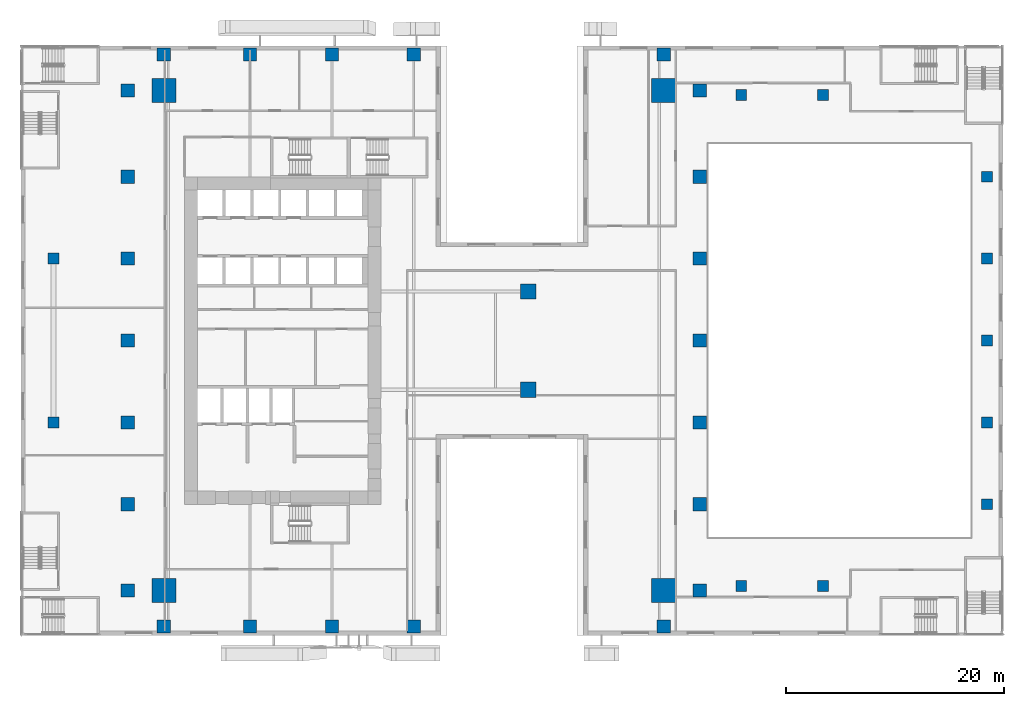
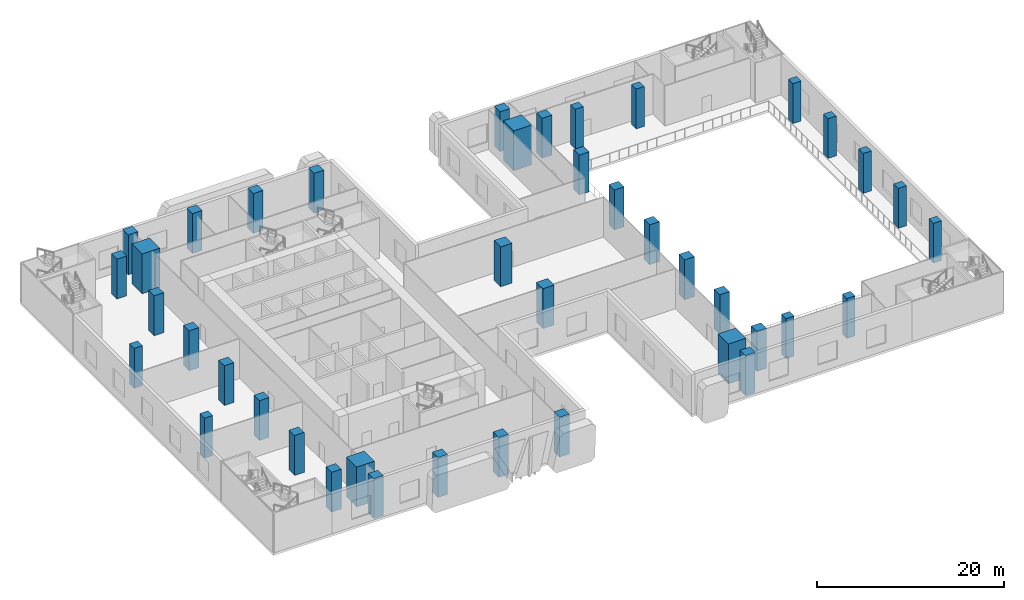
# One storey, part 1 of 23: 41 columns.
"""IFC4 building model written with IfcOpenShell, lengths in metres."""

from ifc_helpers import new_model, si_unit, direction, frame, origin, origin_2d, place, context, subcontext, project, spatial, rectangle, extrude, source, transform, mapped, material, material_profile, profile_set, type_object, element, save


model = new_model("IFC4")

# Units and contexts
model_context = context("Model", 3, precision=1e-05, world=origin(), true_north=direction((0.0, 1.0)))
body_context = subcontext(model_context, "Body", "Model", "MODEL_VIEW")
ifc_project = project(units=[si_unit("LENGTHUNIT", "METRE"), si_unit("AREAUNIT", "SQUARE_METRE"), si_unit("VOLUMEUNIT", "CUBIC_METRE"), si_unit("PLANEANGLEUNIT", "RADIAN"), si_unit("MASSUNIT", "GRAM", prefix="KILO")], contexts=[model_context])

# Site, building, storey
site_placement = place(None, origin())
site = spatial("IfcSite", under=ifc_project, at=site_placement, CompositionType="ELEMENT")
building_placement = place(site_placement, origin())
building = spatial("IfcBuilding", under=site, at=building_placement, Name="Khomas Fold Tower", CompositionType="ELEMENT")
storey_placement = place(building_placement, frame((0.0, 0.0, 7.5)))
storey = spatial("IfcBuildingStorey", under=building, at=storey_placement, Name="L01", CompositionType="ELEMENT", Elevation=7.5)

# Columns
ifc_material_1 = material(Name="Concrete C70/85", Category="concrete")
ifc_material_profile_1 = material_profile(ifc_material_1, rectangle(XDim=2.199951171875, YDim=2.199951171875, at=origin_2d()), Name="RC 2200x2200")
ifc_profile_set_1 = profile_set([ifc_material_profile_1], Name="Concrete C70/85")
column_type_1 = type_object("IfcColumnType", Name="RC 2200x2200 column", PredefinedType="COLUMN", material=ifc_profile_set_1)
shared_shape_1 = source(origin(), body_context, "Body", "SweptSolid", [
    extrude(rectangle(XDim=2.199951171875, YDim=2.199951171875, at=origin_2d()), origin(), (0.0, 0.0, 1.0), 5.199951171875),
])
for number, where, z_axis, x_axis, name in (
    (1, (49.89990234375, 49.89990234375, 0.0), (0.0, 0.0, 1.0), (1.0, 0.0, 0.0), "CM-NE"),
    (2, (4.10009765625, 49.89990234375, 0.0), (0.0, 0.0, 1.0), (1.0, 0.0, 0.0), "CM-NW"),
    (3, (49.89990234375, 4.10009765625, 0.0), (0.0, 0.0, 1.0), (1.0, 0.0, 0.0), "CM-SE"),
    (4, (4.10009765625, 4.10009765625, 0.0), (0.0, 0.0, 1.0), (1.0, 0.0, 0.0), "CM-SW"),
):
    element("IfcColumn", number, at=place(storey_placement, frame(where, z_axis=z_axis, x_axis=x_axis)), inside=storey, type_object=column_type_1, Name=name, PredefinedType="COLUMN", context=body_context, shape_type="MappedRepresentation", body=[
        mapped(shared_shape_1, transform((0.0, 0.0, 0.0))),
    ])
ifc_material_2 = material(Name="Concrete C60/75", Category="concrete")
ifc_material_profile_2 = material_profile(ifc_material_2, rectangle(XDim=1.199951171875, YDim=1.199951171875, at=origin_2d()), Name="RC 1200x1200")
ifc_profile_set_2 = profile_set([ifc_material_profile_2], Name="Concrete C60/75")
column_type_2 = type_object("IfcColumnType", Name="RC 1200x1200 column", PredefinedType="COLUMN", material=ifc_profile_set_2)
shared_shape_2 = source(origin(), body_context, "Body", "SweptSolid", [
    extrude(rectangle(XDim=1.199951171875, YDim=1.199951171875, at=origin_2d()), origin(), (0.0, 0.0, 1.0), 5.199951171875),
])
for number, where, z_axis, x_axis, name in (
    (5, (4.10009765625, 0.800048828125, 0.0), (0.0, 0.0, 1.0), (1.0, 0.0, 0.0), "C-2-SF1"),
    (6, (12.0, 0.800048828125, 0.0), (0.0, 0.0, 1.0), (1.0, 0.0, 0.0), "C-6-SF1"),
    (7, (19.5, 0.800048828125, 0.0), (0.0, 0.0, 1.0), (1.0, 0.0, 0.0), "C-8-SF1"),
    (8, (27.0, 0.800048828125, 0.0), (0.0, 0.0, 1.0), (1.0, 0.0, 0.0), "C-9-SF1"),
    (9, (49.89990234375, 0.800048828125, 0.0), (0.0, 0.0, 1.0), (1.0, 0.0, 0.0), "C-17-SF1"),
    (10, (53.199951171875, 4.10009765625, 0.0), (0.0, 0.0, 1.0), (1.0, 0.0, 0.0), "C-E1-A"),
    (11, (53.199951171875, 12.0, 0.0), (0.0, 0.0, 1.0), (1.0, 0.0, 0.0), "C-E1-F"),
    (12, (53.199951171875, 19.5, 0.0), (0.0, 0.0, 1.0), (1.0, 0.0, 0.0), "C-E1-J"),
    (13, (53.199951171875, 27.0, 0.0), (0.0, 0.0, 1.0), (1.0, 0.0, 0.0), "C-E1-L"),
    (14, (53.199951171875, 34.5, 0.0), (0.0, 0.0, 1.0), (1.0, 0.0, 0.0), "C-E1-N"),
    (15, (53.199951171875, 42.0, 0.0), (0.0, 0.0, 1.0), (1.0, 0.0, 0.0), "C-E1-R"),
    (16, (53.199951171875, 49.89990234375, 0.0), (0.0, 0.0, 1.0), (1.0, 0.0, 0.0), "C-E1-W"),
    (17, (4.10009765625, 53.199951171875, 0.0), (0.0, 0.0, 1.0), (1.0, 0.0, 0.0), "C-2-NF1"),
    (18, (12.0, 53.199951171875, 0.0), (0.0, 0.0, 1.0), (1.0, 0.0, 0.0), "C-6-NF1"),
    (19, (19.5, 53.199951171875, 0.0), (0.0, 0.0, 1.0), (1.0, 0.0, 0.0), "C-8-NF1"),
    (20, (27.0, 53.199951171875, 0.0), (0.0, 0.0, 1.0), (1.0, 0.0, 0.0), "C-9-NF1"),
    (21, (49.89990234375, 53.199951171875, 0.0), (0.0, 0.0, 1.0), (1.0, 0.0, 0.0), "C-17-NF1"),
    (22, (0.800048828125, 4.10009765625, 0.0), (0.0, 0.0, 1.0), (1.0, 0.0, 0.0), "C-W1-A"),
    (23, (0.800048828125, 12.0, 0.0), (0.0, 0.0, 1.0), (1.0, 0.0, 0.0), "C-W1-F"),
    (24, (0.800048828125, 19.5, 0.0), (0.0, 0.0, 1.0), (1.0, 0.0, 0.0), "C-W1-J"),
    (25, (0.800048828125, 27.0, 0.0), (0.0, 0.0, 1.0), (1.0, 0.0, 0.0), "C-W1-L"),
    (26, (0.800048828125, 34.5, 0.0), (0.0, 0.0, 1.0), (1.0, 0.0, 0.0), "C-W1-N"),
    (27, (0.800048828125, 42.0, 0.0), (0.0, 0.0, 1.0), (1.0, 0.0, 0.0), "C-W1-R"),
    (28, (0.800048828125, 49.89990234375, 0.0), (0.0, 0.0, 1.0), (1.0, 0.0, 0.0), "C-W1-W"),
):
    element("IfcColumn", number, at=place(storey_placement, frame(where, z_axis=z_axis, x_axis=x_axis)), inside=storey, type_object=column_type_2, Name=name, PredefinedType="COLUMN", context=body_context, shape_type="MappedRepresentation", body=[
        mapped(shared_shape_2, transform((0.0, 0.0, 0.0))),
    ])
ifc_material_3 = material(Name="Concrete C60/75", Category="concrete")
ifc_material_profile_3 = material_profile(ifc_material_3, rectangle(XDim=1.39990234375, YDim=1.39990234375, at=origin_2d()), Name="RC 1400x1400")
ifc_profile_set_3 = profile_set([ifc_material_profile_3], Name="Concrete C60/75")
column_type_3 = type_object("IfcColumnType", Name="RC 1400x1400 column", PredefinedType="COLUMN", material=ifc_profile_set_3)
shared_shape_3 = source(origin(), body_context, "Body", "SweptSolid", [
    extrude(rectangle(XDim=1.39990234375, YDim=1.39990234375, at=origin_2d()), origin(), (0.0, 0.0, 1.0), 5.199951171875),
])
for number, where, z_axis, x_axis, name in (
    (29, (37.5, 22.5, 0.0), (0.0, 0.0, 1.0), (1.0, 0.0, 0.0), "C-11-K"),
    (30, (37.5, 31.5, 0.0), (0.0, 0.0, 1.0), (1.0, 0.0, 0.0), "C-11-M"),
):
    element("IfcColumn", number, at=place(storey_placement, frame(where, z_axis=z_axis, x_axis=x_axis)), inside=storey, type_object=column_type_3, Name=name, PredefinedType="COLUMN", context=body_context, shape_type="MappedRepresentation", body=[
        mapped(shared_shape_3, transform((0.0, 0.0, 0.0))),
    ])
ifc_material_4 = material(Name="Concrete C50/60", Category="concrete")
ifc_material_profile_4 = material_profile(ifc_material_4, rectangle(XDim=1.0, YDim=1.0, at=origin_2d()), Name="RC 1000x1000")
ifc_profile_set_4 = profile_set([ifc_material_profile_4], Name="Concrete C50/60")
column_type_4 = type_object("IfcColumnType", Name="RC 1000x1000 column", PredefinedType="COLUMN", material=ifc_profile_set_4)
shared_shape_4 = source(origin(), body_context, "Body", "SweptSolid", [
    extrude(rectangle(XDim=1.0, YDim=1.0, at=origin_2d()), origin(), (0.0, 0.0, 1.0), 5.199951171875),
])
for number, where, z_axis, x_axis, name in (
    (31, (-6.0, 19.5, 0.0), (0.0, 0.0, 1.0), (1.0, 0.0, 0.0), "C-1-J"),
    (32, (-6.0, 34.5, 0.0), (0.0, 0.0, 1.0), (1.0, 0.0, 0.0), "C-1-N"),
    (33, (57.0, 4.5, 0.0), (0.0, 0.0, 1.0), (1.0, 0.0, 0.0), "C-18-B"),
    (34, (57.0, 49.5, 0.0), (0.0, 0.0, 1.0), (1.0, 0.0, 0.0), "C-18-V"),
    (35, (64.5, 4.5, 0.0), (0.0, 0.0, 1.0), (1.0, 0.0, 0.0), "C-19-B"),
    (36, (64.5, 49.5, 0.0), (0.0, 0.0, 1.0), (1.0, 0.0, 0.0), "C-19-V"),
    (37, (79.5, 12.0, 0.0), (0.0, 0.0, 1.0), (1.0, 0.0, 0.0), "C-20-F"),
    (38, (79.5, 19.5, 0.0), (0.0, 0.0, 1.0), (1.0, 0.0, 0.0), "C-20-J"),
    (39, (79.5, 27.0, 0.0), (0.0, 0.0, 1.0), (1.0, 0.0, 0.0), "C-20-L"),
    (40, (79.5, 34.5, 0.0), (0.0, 0.0, 1.0), (1.0, 0.0, 0.0), "C-20-N"),
    (41, (79.5, 42.0, 0.0), (0.0, 0.0, 1.0), (1.0, 0.0, 0.0), "C-20-R"),
):
    element("IfcColumn", number, at=place(storey_placement, frame(where, z_axis=z_axis, x_axis=x_axis)), inside=storey, type_object=column_type_4, Name=name, PredefinedType="COLUMN", context=body_context, shape_type="MappedRepresentation", body=[
        mapped(shared_shape_4, transform((0.0, 0.0, 0.0))),
    ])

save(model, "model.ifc")
